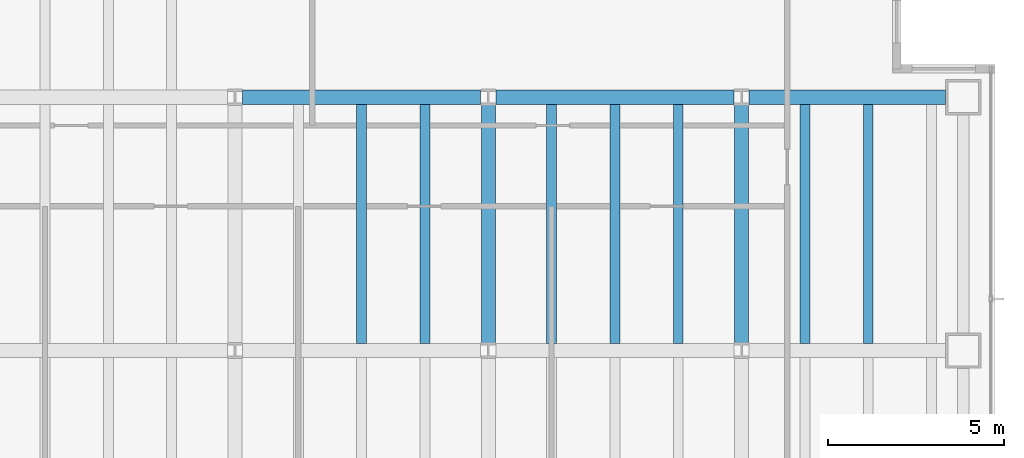
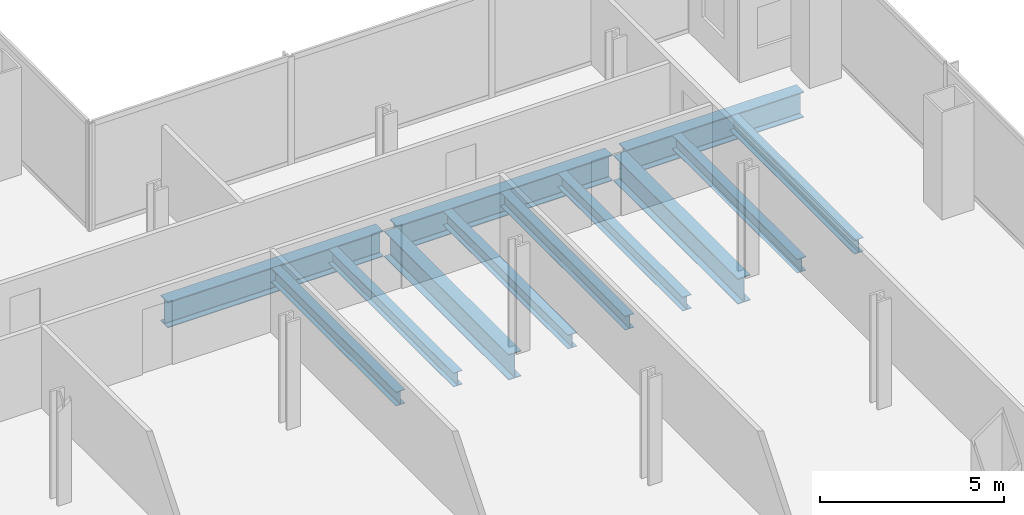
# One storey, part 11 of 25: 12 beams.
"""IFC4 building model written with IfcOpenShell, lengths in metres."""

from ifc_helpers import new_model, si_unit, direction, frame, origin, origin_2d, place, context, subcontext, project, spatial, i_section, extrude, material, material_profile, profile_set, type_object, element, save


model = new_model("IFC4")

# Units and contexts
model_context = context("Model", 3, precision=1e-05, world=origin(), true_north=direction((0.0, 1.0)))
body_context = subcontext(model_context, "Body", "Model", "MODEL_VIEW")
ifc_project = project(units=[si_unit("LENGTHUNIT", "METRE"), si_unit("AREAUNIT", "SQUARE_METRE"), si_unit("VOLUMEUNIT", "CUBIC_METRE"), si_unit("PLANEANGLEUNIT", "RADIAN"), si_unit("MASSUNIT", "GRAM", prefix="KILO")], contexts=[model_context])

# Site, building, storey
site_placement = place(None, origin())
site = spatial("IfcSite", under=ifc_project, at=site_placement, CompositionType="ELEMENT")
building_placement = place(site_placement, origin())
building = spatial("IfcBuilding", under=site, at=building_placement, Name="Cobrela Telecom Tower", CompositionType="ELEMENT")
storey_placement = place(building_placement, frame((0.0, 0.0, 58.10009765625)))
storey = spatial("IfcBuildingStorey", under=building, at=storey_placement, Name="L14", CompositionType="ELEMENT", Elevation=58.10009765625)

# Beams
ifc_material = material(Name="Steel ASTM A992 Grade 50", Category="steel")
ifc_material_profile_1 = material_profile(ifc_material, i_section(OverallWidth=0.39892578125, OverallDepth=0.85595703125, WebThickness=0.018310546875, FlangeThickness=0.029296875, FilletRadius=0.02001953125, at=origin_2d()), Name="W33X201")
ifc_profile_set_1 = profile_set([ifc_material_profile_1], Name="Steel ASTM A992 Grade 50")
beam_type_1 = type_object("IfcBeamType", Name="BM-GIRD-03", PredefinedType="USERDEFINED", material=ifc_profile_set_1)
for number, where, z_axis, x_axis, name in (
    (1, (29.01611328125, 21.60009765625, -0.7080078125), (1.0, 0.0, 0.0), (0.0, 1.0, 0.0), "L14 Primary Girder X20"),
    (2, (36.216064453125, 21.60009765625, -0.7080078125), (1.0, 0.0, 0.0), (0.0, 1.0, 0.0), "L14 Primary Girder X21"),
):
    element("IfcBeam", number, at=place(storey_placement, frame(where, z_axis=z_axis, x_axis=x_axis)), inside=storey, type_object=beam_type_1, Name=name, ObjectType="GIRDER", PredefinedType="USERDEFINED", context=body_context, shape_type="SweptSolid", body=[
        extrude(i_section(OverallWidth=0.39892578125, OverallDepth=0.85595703125, WebThickness=0.018310546875, FlangeThickness=0.029296875, FilletRadius=0.02001953125, at=origin_2d()), origin(), (0.0, 0.0, 1.0), 6.767822265625),
    ])
beam_placement = place(storey_placement, frame((43.416015625, 21.60009765625, -0.7080078125), z_axis=(1.0, 0.0, 0.0), x_axis=(0.0, 1.0, 0.0)))
element("IfcBeam", 3, at=beam_placement, inside=storey, type_object=beam_type_1, Name="L14 Primary Girder X22", ObjectType="GIRDER", PredefinedType="USERDEFINED", context=body_context, shape_type="SweptSolid", body=[
    extrude(i_section(OverallWidth=0.39892578125, OverallDepth=0.85595703125, WebThickness=0.018310546875, FlangeThickness=0.029296875, FilletRadius=0.02001953125, at=origin_2d()), origin(), (0.0, 0.0, 1.0), 5.5791015625),
])
for number, where, z_axis, x_axis, name in (
    (4, (36.0, 14.615966796875, -0.7080078125), (0.0, 1.0, 0.0), (-1.0, 0.0, 0.0), "L14 Primary Girder Y52"),
    (5, (43.199951171875, 14.615966796875, -0.7080078125), (0.0, 1.0, 0.0), (-1.0, 0.0, 0.0), "L14 Primary Girder Y55"),
):
    element("IfcBeam", number, at=place(storey_placement, frame(where, z_axis=z_axis, x_axis=x_axis)), inside=storey, type_object=beam_type_1, Name=name, ObjectType="GIRDER", PredefinedType="USERDEFINED", context=body_context, shape_type="SweptSolid", body=[
        extrude(i_section(OverallWidth=0.39892578125, OverallDepth=0.85595703125, WebThickness=0.018310546875, FlangeThickness=0.029296875, FilletRadius=0.02001953125, at=origin_2d()), origin(), (0.0, 0.0, 1.0), 6.76806640625),
    ])
ifc_material_profile_2 = material_profile(ifc_material, i_section(OverallWidth=0.281982421875, OverallDepth=0.467041015625, WebThickness=0.01220703125, FlangeThickness=0.01953125, FilletRadius=0.012939453125, at=origin_2d()), Name="W18X86")
ifc_profile_set_2 = profile_set([ifc_material_profile_2], Name="Steel ASTM A992 Grade 50")
beam_type_2 = type_object("IfcBeamType", Name="BM-JOIST-02", PredefinedType="JOIST", material=ifc_profile_set_2)
for number, where, z_axis, x_axis, name in (
    (6, (32.39990234375, 14.6044921875, -0.513671875), (0.0, 1.0, 0.0), (-1.0, 0.0, 0.0), "L14 Secondary Composite Floor Beam J46"),
    (7, (34.199951171875, 14.6044921875, -0.513671875), (0.0, 1.0, 0.0), (-1.0, 0.0, 0.0), "L14 Secondary Composite Floor Beam J49"),
    (8, (37.800048828125, 14.6044921875, -0.513671875), (0.0, 1.0, 0.0), (-1.0, 0.0, 0.0), "L14 Secondary Composite Floor Beam J52"),
    (9, (39.60009765625, 14.6044921875, -0.513671875), (0.0, 1.0, 0.0), (-1.0, 0.0, 0.0), "L14 Secondary Composite Floor Beam J55"),
    (10, (41.39990234375, 14.6044921875, -0.513671875), (0.0, 1.0, 0.0), (-1.0, 0.0, 0.0), "L14 Secondary Composite Floor Beam J58"),
    (11, (45.0, 14.6044921875, -0.513671875), (0.0, 1.0, 0.0), (-1.0, 0.0, 0.0), "L14 Secondary Composite Floor Beam J60"),
    (12, (46.800048828125, 14.6044921875, -0.513671875), (0.0, 1.0, 0.0), (-1.0, 0.0, 0.0), "L14 Secondary Composite Floor Beam J62"),
):
    element("IfcBeam", number, at=place(storey_placement, frame(where, z_axis=z_axis, x_axis=x_axis)), inside=storey, type_object=beam_type_2, Name=name, PredefinedType="JOIST", context=body_context, shape_type="SweptSolid", body=[
        extrude(i_section(OverallWidth=0.281982421875, OverallDepth=0.467041015625, WebThickness=0.01220703125, FlangeThickness=0.01953125, FilletRadius=0.012939453125, at=origin_2d()), origin(), (0.0, 0.0, 1.0), 6.791015625),
    ])

save(model, "model.ifc")
